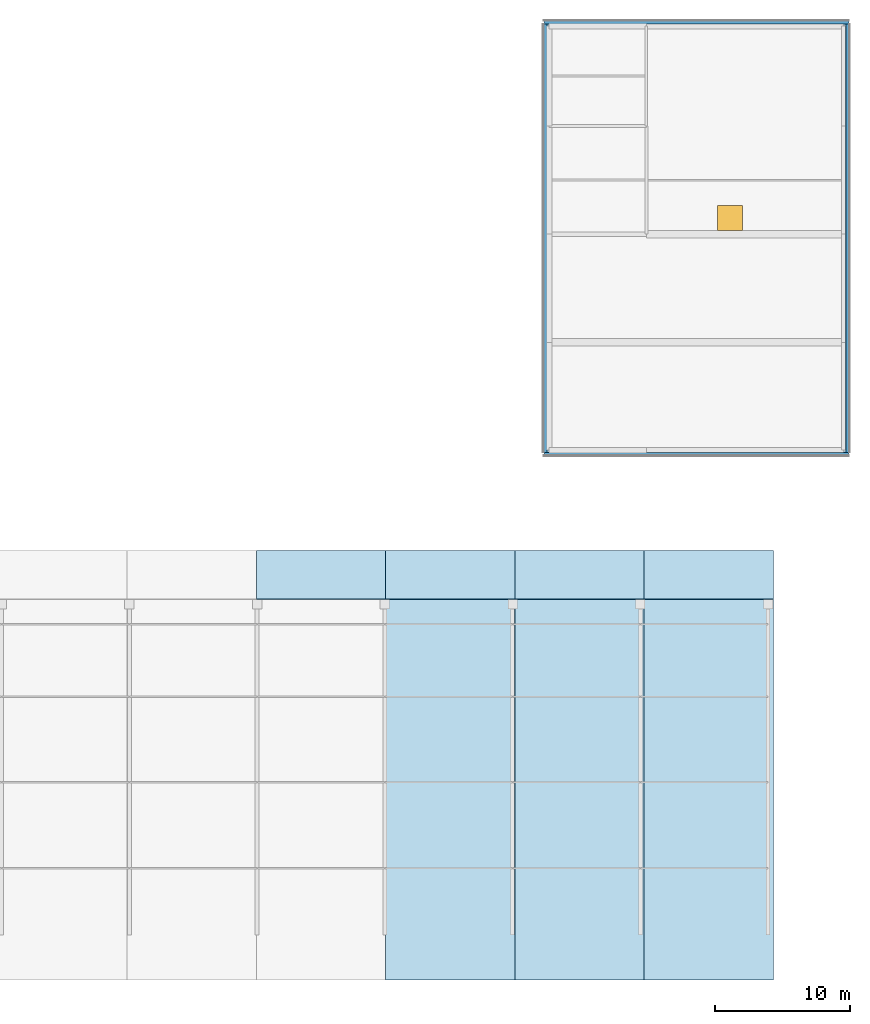
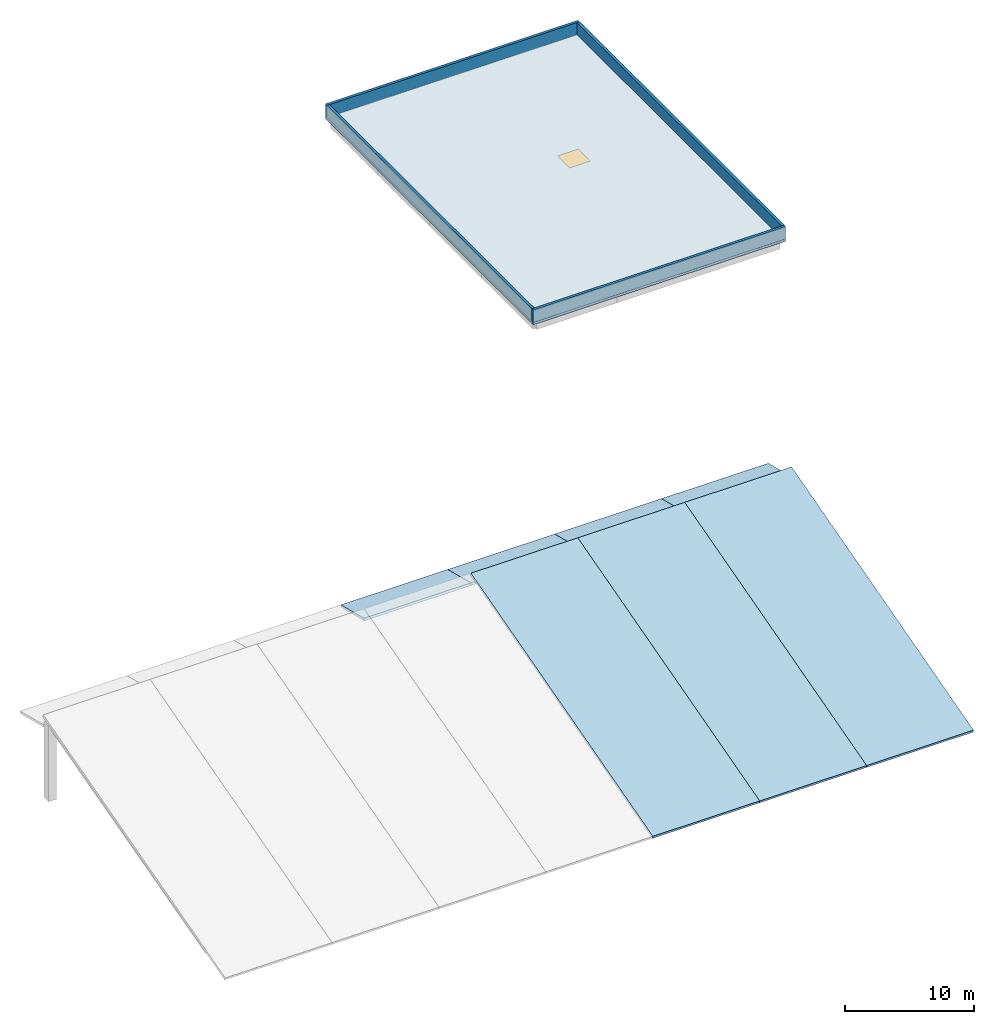
"""IFC4 building model written with IfcOpenShell, lengths in metres."""

from ifc_helpers import new_model, si_unit, direction, frame, frame_2d, origin, origin_2d, place, context, subcontext, project, spatial, polyline, rectangle, outline, extrude, material, layer, layer_set, type_object, element, fill, aggregate, save


model = new_model("IFC4")

# Units and contexts
model_context = context("Model", 3, precision=1e-05, world=origin(), true_north=direction((0.0, 1.0)))
body_context = subcontext(model_context, "Body", "Model", "MODEL_VIEW")
ifc_project = project(units=[si_unit("LENGTHUNIT", "METRE"), si_unit("AREAUNIT", "SQUARE_METRE"), si_unit("VOLUMEUNIT", "CUBIC_METRE"), si_unit("PLANEANGLEUNIT", "RADIAN"), si_unit("MASSUNIT", "GRAM", prefix="KILO")], contexts=[model_context])

# Site, building, storey
site_placement = place(None, origin())
site = spatial("IfcSite", under=ifc_project, at=site_placement, CompositionType="ELEMENT")
building_placement = place(site_placement, origin())
building = spatial("IfcBuilding", under=site, at=building_placement, Name="Qalavern Law Courts", CompositionType="ELEMENT")
storey_1_placement = place(building_placement, frame((0.0, 0.0, 43.800048828125)))
storey_1 = spatial("IfcBuildingStorey", under=building, at=storey_1_placement, Name="RF", CompositionType="ELEMENT", Elevation=43.800048828125)

# Slab, opening
ifc_material_1 = material(Name="Concrete C35/45", Category="concrete")
ifc_layer_1 = layer(ifc_material_1, 0.25)
ifc_layer_set_1 = layer_set([ifc_layer_1], Name="Concrete C35/45")
slab_type_1 = type_object("IfcSlabType", Name="STR-ROOF-FLAT250", PredefinedType="ROOF", material=ifc_layer_set_1)
slab_1_placement = place(storey_1_placement, frame((0.0, 0.0, -0.25)))
slab_1 = element("IfcSlab", 1, at=slab_1_placement, inside=storey_1, type_object=slab_type_1, Name="V4 insulated flat roof slab RF", PredefinedType="ROOF", context=body_context, shape_type="SweptSolid", body=[
    extrude(outline(polyline([(84.199951171875, 41.02001953125), (106.800048828125, 41.02001953125), (106.800048828125, 73.199951171875), (84.199951171875, 73.199951171875), (84.199951171875, 41.02001953125)])), origin(), (0.0, 0.0, 1.0), 0.25),
])
opening_placement = place(slab_1_placement, frame((98.0, 58.610107421875, 0.0)))
opening = element("IfcOpeningElement", 2, at=opening_placement, cuts=slab_1, Name="Opening SK-06", PredefinedType="OPENING", context=body_context, shape_type="SweptSolid", body=[
    extrude(rectangle(XDim=1.85009765625, YDim=1.85009765625, at=origin_2d()), frame((0.0, 0.0, -0.014892578125)), (0.0, 0.0, 1.0), 0.27978515625),
])

# Storey
storey_2_placement = place(building_placement, frame((0.0, 0.0, 39.60009765625)))
storey_2 = spatial("IfcBuildingStorey", under=building, at=storey_2_placement, Name="L09", CompositionType="ELEMENT", Elevation=39.60009765625)

# Window
ifc_material_2 = material(Name="Anodised aluminium skylight with laminated low-E glazing", Category="aluminium")
window_type = type_object("IfcWindowType", Name="ENV-SKY-1850x1850", PartitioningType="SINGLE_PANEL", PredefinedType="SKYLIGHT", material=ifc_material_2)
window_placement = place(opening_placement, frame((0.0, 0.0, 0.199951171875)))
window = element("IfcWindow", 3, at=window_placement, inside=storey_2, type_object=window_type, Name="V4 rooftop daylight skylight RF", OverallHeight=1.85009765625, OverallWidth=1.85009765625, PartitioningType="SINGLE_PANEL", PredefinedType="SKYLIGHT", context=body_context, shape_type="SweptSolid", body=[
    extrude(rectangle(XDim=1.85009765625, YDim=1.85009765625, at=origin_2d()), origin(), (0.0, 0.0, 1.0), 0.050048828125),
])

fill(opening, window)

# Roof, slab
ifc_material_3 = material(Name="Concrete C40/50", Category="concrete")
roof_type = type_object("IfcRoofType", Name="ARCH-ROOF-PAVILION", PredefinedType="PAVILION_ROOF", material=ifc_material_3)
roof_1_placement = place(storey_1_placement, origin())
roof_1 = element("IfcRoof", 4, at=roof_1_placement, inside=storey_1, type_object=roof_type, Name="Ceremonial Hall folded-plate roof bay 4", PredefinedType="PAVILION_ROOF")
ifc_layer_2 = layer(ifc_material_3, 0.219970703125)
ifc_layer_set_2 = layer_set([ifc_layer_2], Name="Concrete C40/50")
slab_type_2 = type_object("IfcSlabType", Name="STR-ROOF-FP220", PredefinedType="ROOF", material=ifc_layer_set_2)
slab_2_placement = place(storey_1_placement, frame((62.92578125, 30.39990234375, -14.1201171875), z_axis=(0.0, 0.245040956021, 0.969512728061), x_axis=(1.0, 0.0, 0.0)))
slab_2 = element("IfcSlab", 5, at=slab_2_placement, type_object=slab_type_2, Name="Folded-plate roof north return facet 4", PredefinedType="ROOF", context=body_context, shape_type="SweptSolid", body=[
    extrude(outline(polyline([(0.0, 0.0), (9.568603515625, 0.0), (9.568603515625, 3.7133062331733435), (0.0, 3.7133062331733435), (0.0, 0.0)])), origin(), (0.0, 0.0, -1.0), 0.219970703125),
])
aggregate(roof_1, [slab_2])

roof_2_placement = place(storey_1_placement, origin())
roof_2 = element("IfcRoof", 6, at=roof_2_placement, inside=storey_1, type_object=roof_type, Name="Ceremonial Hall folded-plate roof bay 5", PredefinedType="PAVILION_ROOF")
slab_3_placement = place(storey_1_placement, frame((72.494384765625, 30.39990234375, -14.1201171875), z_axis=(0.0, 0.245040956021, 0.969512728061), x_axis=(1.0, 0.0, 0.0)))
slab_3 = element("IfcSlab", 7, at=slab_3_placement, type_object=slab_type_2, Name="Folded-plate roof north return facet 5", PredefinedType="ROOF", context=body_context, shape_type="SweptSolid", body=[
    extrude(outline(polyline([(0.0, 0.0), (9.568603515625, 0.0), (9.568603515625, 3.7133062331733435), (0.0, 3.7133062331733435), (0.0, 0.0)])), origin(), (0.0, 0.0, -1.0), 0.219970703125),
])

roof_3_placement = place(storey_1_placement, origin())
roof_3 = element("IfcRoof", 8, at=roof_3_placement, inside=storey_1, type_object=roof_type, Name="Ceremonial Hall folded-plate roof bay 6", PredefinedType="PAVILION_ROOF")
slab_4_placement = place(storey_1_placement, frame((82.06298828125, 30.39990234375, -14.1201171875), z_axis=(0.0, 0.245040956021, 0.969512728061), x_axis=(1.0, 0.0, 0.0)))
slab_4 = element("IfcSlab", 9, at=slab_4_placement, type_object=slab_type_2, Name="Folded-plate roof north return facet 6", PredefinedType="ROOF", context=body_context, shape_type="SweptSolid", body=[
    extrude(outline(polyline([(0.0, 0.0), (9.568359375, 0.0), (9.568359375, 3.713306233173343), (0.0, 3.713306233173343), (0.0, 0.0)])), origin(), (0.0, 0.0, -1.0), 0.219970703125),
])

roof_4_placement = place(storey_1_placement, origin())
roof_4 = element("IfcRoof", 10, at=roof_4_placement, inside=storey_1, type_object=roof_type, Name="Ceremonial Hall folded-plate roof bay 7", PredefinedType="PAVILION_ROOF")
slab_5_placement = place(storey_1_placement, frame((91.63134765625, 30.39990234375, -14.1201171875), z_axis=(0.0, 0.245040956021, 0.969512728061), x_axis=(1.0, 0.0, 0.0)))
slab_5 = element("IfcSlab", 11, at=slab_5_placement, type_object=slab_type_2, Name="Folded-plate roof north return facet 7", PredefinedType="ROOF", context=body_context, shape_type="SweptSolid", body=[
    extrude(outline(polyline([(0.0, 0.0), (9.568603515625, 0.0), (9.568603515625, 3.7133062331733435), (0.0, 3.7133062331733435), (0.0, 0.0)])), origin(), (0.0, 0.0, -1.0), 0.219970703125),
])

# Slab
ifc_layer_3 = layer(ifc_material_3, 0.239990234375)
ifc_layer_set_3 = layer_set([ifc_layer_3], Name="Concrete C40/50")
slab_type_3 = type_object("IfcSlabType", Name="STR-ROOF-FP240", PredefinedType="ROOF", material=ifc_layer_set_3)
slab_6_placement = place(storey_1_placement, frame((72.494384765625, 2.199951171875, -21.0), z_axis=(0.0, -0.26658803356, 0.963810572863), x_axis=(1.0, 0.0, 0.0)))
slab_6 = element("IfcSlab", 12, at=slab_6_placement, type_object=slab_type_3, Name="Folded-plate roof upslope facet 5", PredefinedType="ROOF", context=body_context, shape_type="SweptSolid", body=[
    extrude(outline(polyline([(0.0, 0.0), (9.568603515625, 0.0), (9.568603515625, 29.25881077243688), (0.0, 29.25881077243688), (0.0, 0.0)])), origin(), (0.0, 0.0, -1.0), 0.239990234375),
])

aggregate(roof_2, [slab_6, slab_3])

slab_7_placement = place(storey_1_placement, frame((82.06298828125, 2.199951171875, -21.0), z_axis=(0.0, -0.26658803356, 0.963810572863), x_axis=(1.0, 0.0, 0.0)))
slab_7 = element("IfcSlab", 13, at=slab_7_placement, type_object=slab_type_3, Name="Folded-plate roof upslope facet 6", PredefinedType="ROOF", context=body_context, shape_type="SweptSolid", body=[
    extrude(outline(polyline([(0.0, 0.0), (9.568359375, 0.0), (9.568359375, 29.258810772436874), (0.0, 29.258810772436874), (0.0, 0.0)])), origin(), (0.0, 0.0, -1.0), 0.239990234375),
])

aggregate(roof_3, [slab_7, slab_4])

slab_8_placement = place(storey_1_placement, frame((91.63134765625, 2.199951171875, -21.0), z_axis=(0.0, -0.26658803356, 0.963810572863), x_axis=(1.0, 0.0, 0.0)))
slab_8 = element("IfcSlab", 14, at=slab_8_placement, type_object=slab_type_3, Name="Folded-plate roof upslope facet 7", PredefinedType="ROOF", context=body_context, shape_type="SweptSolid", body=[
    extrude(outline(polyline([(0.0, 0.0), (9.568603515625, 0.0), (9.568603515625, 29.25881077243688), (0.0, 29.25881077243688), (0.0, 0.0)])), origin(), (0.0, 0.0, -1.0), 0.239990234375),
])

aggregate(roof_4, [slab_8, slab_5])

# Walls
ifc_layer_4 = layer(ifc_material_3, 0.235107421875)
ifc_layer_set_4 = layer_set([ifc_layer_4], Name="Concrete C40/50")
wall_type = type_object("IfcWallType", Name="ENV-PAR-235", PredefinedType="PARAPET", material=ifc_layer_set_4)
wall_1_placement = place(storey_1_placement, frame((84.199951171875, 41.137451171875, 0.0), z_axis=(0.0, 0.0, 1.0), x_axis=(1.0, 0.0, 0.0)))
element("IfcWall", 15, at=wall_1_placement, inside=storey_1, type_object=wall_type, Name="V4 roof parapet RF S", PredefinedType="PARAPET", context=body_context, shape_type="SweptSolid", body=[
    extrude(rectangle(XDim=22.60009765625, YDim=0.235107421875, at=frame_2d((11.300048828125, 0.0))), origin(), (0.0, 0.0, 1.0), 1.14990234375),
])
wall_2_placement = place(storey_1_placement, frame((106.6826171875, 41.2548828125, 0.0), z_axis=(0.0, 0.0, 1.0), x_axis=(0.0, 1.0, 0.0)))
element("IfcWall", 16, at=wall_2_placement, inside=storey_1, type_object=wall_type, Name="V4 roof parapet RF E", PredefinedType="PARAPET", context=body_context, shape_type="SweptSolid", body=[
    extrude(rectangle(XDim=31.710205078125, YDim=0.235107421875, at=frame_2d((15.85498046875, 0.0))), origin(), (0.0, 0.0, 1.0), 1.14990234375),
])
wall_3_placement = place(storey_1_placement, frame((106.800048828125, 73.08251953125, 0.0), z_axis=(0.0, 0.0, 1.0), x_axis=(-1.0, 0.0, 0.0)))
element("IfcWall", 17, at=wall_3_placement, inside=storey_1, type_object=wall_type, Name="V4 roof parapet RF N", PredefinedType="PARAPET", context=body_context, shape_type="SweptSolid", body=[
    extrude(rectangle(XDim=22.60009765625, YDim=0.235107421875, at=frame_2d((11.300048828125, 0.0))), origin(), (0.0, 0.0, 1.0), 1.14990234375),
])
wall_4_placement = place(storey_1_placement, frame((84.3173828125, 72.965087890625, 0.0), z_axis=(0.0, 0.0, 1.0), x_axis=(0.0, -1.0, 0.0)))
element("IfcWall", 18, at=wall_4_placement, inside=storey_1, type_object=wall_type, Name="V4 roof parapet RF W", PredefinedType="PARAPET", context=body_context, shape_type="SweptSolid", body=[
    extrude(rectangle(XDim=31.710205078125, YDim=0.235107421875, at=frame_2d((15.85498046875, 0.0))), origin(), (0.0, 0.0, 1.0), 1.14990234375),
])

save(model, "model.ifc")
